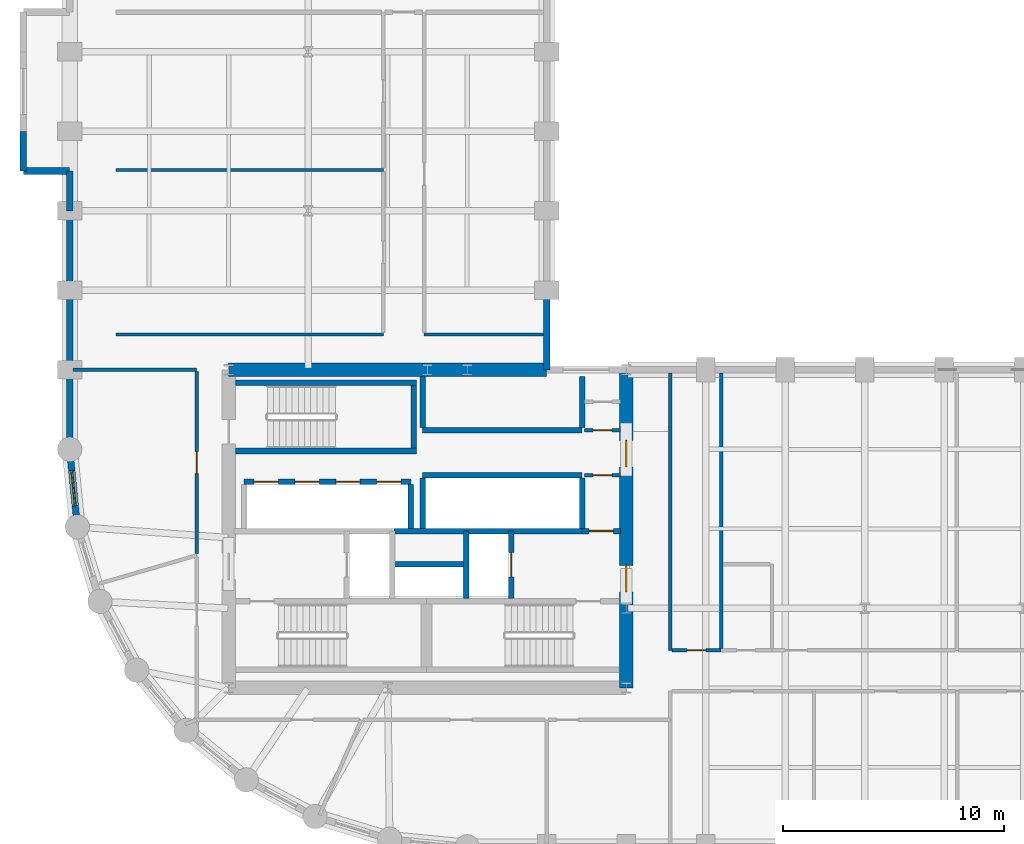
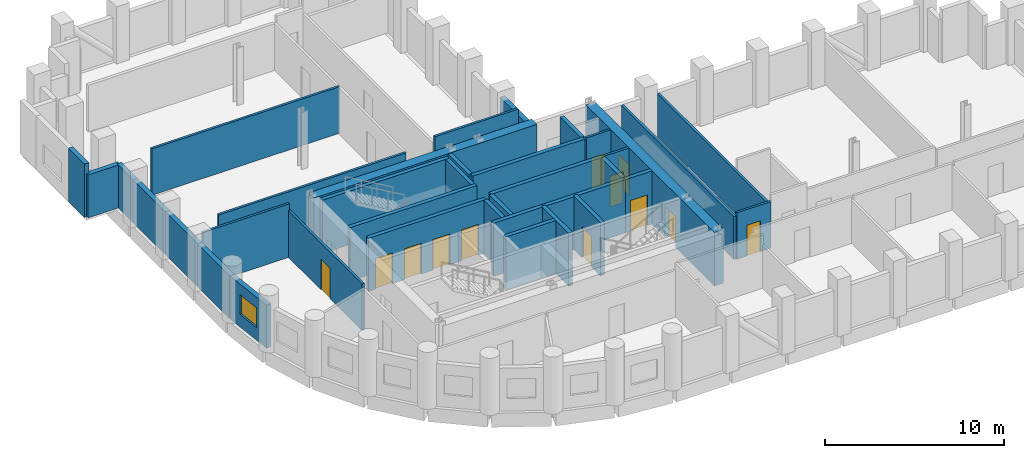
# One storey, part 4 of 8: 36 walls, 12 doors, 1 window, 13 openings.
"""IFC4 building model written with IfcOpenShell, lengths in metres."""

from ifc_helpers import new_model, si_unit, direction, frame, frame_2d, origin, place, context, subcontext, project, spatial, rectangle, extrude, material, layer, layer_set, type_object, element, fill, save


model = new_model("IFC4")

# Units and contexts
model_context = context("Model", 3, precision=1e-05, world=origin(), true_north=direction((0.0, 1.0)))
body_context = subcontext(model_context, "Body", "Model", "MODEL_VIEW")
ifc_project = project(units=[si_unit("LENGTHUNIT", "METRE"), si_unit("AREAUNIT", "SQUARE_METRE"), si_unit("VOLUMEUNIT", "CUBIC_METRE"), si_unit("PLANEANGLEUNIT", "RADIAN"), si_unit("MASSUNIT", "GRAM", prefix="KILO")], contexts=[model_context])

# Site, building, storey
site_placement = place(None, origin())
site = spatial("IfcSite", under=ifc_project, at=site_placement, CompositionType="ELEMENT")
building_placement = place(site_placement, origin())
building = spatial("IfcBuilding", under=site, at=building_placement, Name="Solnavia Interchange Tower", CompositionType="ELEMENT")
storey_placement = place(building_placement, frame((0.0, 0.0, 84.0)))
storey = spatial("IfcBuildingStorey", under=building, at=storey_placement, Name="L20", CompositionType="ELEMENT", Elevation=84.0)

# Walls
ifc_material_1 = material(Name="Concrete C40/50", Category="concrete")
ifc_layer_1 = layer(ifc_material_1, 0.300048828125)
ifc_layer_set_1 = layer_set([ifc_layer_1], Name="Concrete C40/50")
wall_type_1 = type_object("IfcWallType", Name="Wall-ExtSpandrel-300", PredefinedType="STANDARD", material=ifc_layer_set_1)
wall_1_placement = place(storey_placement, frame((28.800048828125, 28.800048828125, 0.0), z_axis=(0.0, 0.0, 1.0), x_axis=(0.0, -1.0, 0.0)))
element("IfcWall", 1, at=wall_1_placement, inside=storey, type_object=wall_type_1, Name="EXW-L20-28 Exterior precast spandrel wall", PredefinedType="STANDARD", context=body_context, shape_type="SweptSolid", body=[
    extrude(rectangle(XDim=3.60009765625, YDim=0.300048828125, at=frame_2d((1.800048828125, 0.0))), origin(), (0.0, 0.0, 1.0), 3.18994140625),
])
wall_2_placement = place(storey_placement, frame((5.10009765625, 34.199951171875, 0.0), z_axis=(0.0, 0.0, 1.0), x_axis=(0.0, 1.0, 0.0)))
element("IfcWall", 2, at=wall_2_placement, inside=storey, type_object=wall_type_1, Name="EXW-L20-49 Exterior precast spandrel wall", PredefinedType="STANDARD", context=body_context, shape_type="SweptSolid", body=[
    extrude(rectangle(XDim=1.800048828125, YDim=0.300048828125, at=frame_2d((0.89990234375, 0.0))), origin(), (0.0, 0.0, 1.0), 3.635009765625),
])
wall_3_placement = place(storey_placement, frame((5.10009765625, 34.199951171875, 0.0), z_axis=(0.0, 0.0, 1.0), x_axis=(1.0, 0.0, 0.0)))
element("IfcWall", 3, at=wall_3_placement, inside=storey, type_object=wall_type_1, Name="EXW-L20-50 Exterior precast spandrel wall", PredefinedType="STANDARD", context=body_context, shape_type="SweptSolid", body=[
    extrude(rectangle(XDim=2.099853515625, YDim=0.300048828125, at=frame_2d((1.0498046875, 0.0))), origin(), (0.0, 0.0, 1.0), 2.929931640625),
])
wall_4_placement = place(storey_placement, frame((7.199951171875, 32.39990234375, 0.0), z_axis=(0.0, 0.0, 1.0), x_axis=(0.0, 1.0, 0.0)))
element("IfcWall", 4, at=wall_4_placement, inside=storey, type_object=wall_type_1, Name="EXW-L20-51 Exterior precast spandrel wall", PredefinedType="STANDARD", context=body_context, shape_type="SweptSolid", body=[
    extrude(rectangle(XDim=1.800048828125, YDim=0.300048828125, at=frame_2d((0.89990234375, 0.0))), origin(), (0.0, 0.0, 1.0), 2.929931640625),
])
wall_5_placement = place(storey_placement, frame((7.199951171875, 28.800048828125, 0.0), z_axis=(0.0, 0.0, 1.0), x_axis=(0.0, 1.0, 0.0)))
element("IfcWall", 5, at=wall_5_placement, inside=storey, type_object=wall_type_1, Name="EXW-L20-52 Exterior precast spandrel wall", PredefinedType="STANDARD", context=body_context, shape_type="SweptSolid", body=[
    extrude(rectangle(XDim=3.599853515625, YDim=0.300048828125, at=frame_2d((1.7998046875, 0.0))), origin(), (0.0, 0.0, 1.0), 2.929931640625),
])
wall_6_placement = place(storey_placement, frame((7.199951171875, 25.199951171875, 0.0), z_axis=(0.0, 0.0, 1.0), x_axis=(0.0, 1.0, 0.0)))
element("IfcWall", 6, at=wall_6_placement, inside=storey, type_object=wall_type_1, Name="EXW-L20-53 Exterior precast spandrel wall", PredefinedType="STANDARD", context=body_context, shape_type="SweptSolid", body=[
    extrude(rectangle(XDim=3.60009765625, YDim=0.300048828125, at=frame_2d((1.800048828125, 0.0))), origin(), (0.0, 0.0, 1.0), 2.929931640625),
])
wall_7_placement = place(storey_placement, frame((7.199951171875, 21.60009765625, 0.0), z_axis=(0.0, 0.0, 1.0), x_axis=(0.0, 1.0, 0.0)))
element("IfcWall", 7, at=wall_7_placement, inside=storey, type_object=wall_type_1, Name="EXW-L20-54 Exterior precast spandrel wall", PredefinedType="STANDARD", context=body_context, shape_type="SweptSolid", body=[
    extrude(rectangle(XDim=3.599853515625, YDim=0.300048828125, at=frame_2d((1.7998046875, 0.0))), origin(), (0.0, 0.0, 1.0), 2.929931640625),
])

# Wall, opening, window
wall_8_placement = place(storey_placement, frame((7.5458984375, 18.087890625, 0.0), z_axis=(0.0, 0.0, 1.0), x_axis=(-0.09802417461, 0.995184033831, 0.0)))
wall_8 = element("IfcWall", 8, at=wall_8_placement, inside=storey, type_object=wall_type_1, Name="EXW-L20-55 Exterior precast spandrel wall", PredefinedType="STANDARD", context=body_context, shape_type="SweptSolid", body=[
    extrude(rectangle(XDim=3.529296875, YDim=0.300048828125, at=frame_2d((1.7646484375, 0.0))), origin(), (0.0, 0.0, 1.0), 2.929931640625),
])
opening_1_placement = place(wall_8_placement, frame((0.965087890625, 0.0, 0.85009765625)))
opening_1 = element("IfcOpeningElement", 9, at=opening_1_placement, cuts=wall_8, Name="Opening WIN-04", PredefinedType="OPENING", context=body_context, shape_type="SweptSolid", body=[
    extrude(rectangle(XDim=1.60009765625, YDim=1.35009765625, at=frame_2d((0.800048828125, 0.675048828125))), frame((0.0, 0.16015625, 0.0), z_axis=(0.0, -1.0, 0.0), x_axis=(1.0, 0.0, 0.0)), (0.0, 0.0, 1.0), 0.320068359375),
])
ifc_material_2 = material(Name="Thermal-Break Aluminium & Low-E Glass", Category="aluminium")
window_type = type_object("IfcWindowType", Name="Window-Drum-1600x1350", PartitioningType="SINGLE_PANEL", PredefinedType="WINDOW", material=ifc_material_2)
window_placement = place(opening_1_placement, origin())
window = element("IfcWindow", 10, at=window_placement, inside=storey, type_object=window_type, Name="WIN-L20-55 Facade ribbon window", OverallHeight=1.35009765625, OverallWidth=1.60009765625, PartitioningType="SINGLE_PANEL", PredefinedType="WINDOW", context=body_context, shape_type="SweptSolid", body=[
    extrude(rectangle(XDim=1.60009765625, YDim=1.35009765625, at=frame_2d((0.800048828125, 0.675048828125))), frame((0.0, 0.030029296875, 0.0), z_axis=(0.0, -1.0, 0.0), x_axis=(1.0, 0.0, 0.0)), (0.0, 0.0, 1.0), 0.06005859375),
])
fill(opening_1, window)

# Wall, opening, door
ifc_material_3 = material(Name="Gypsum Plasterboard & Steel Stud", Category="steel")
ifc_layer_2 = layer(ifc_material_3, 0.14990234375)
ifc_layer_set_2 = layer_set([ifc_layer_2], Name="Gypsum Plasterboard & Steel Stud")
wall_type_2 = type_object("IfcWallType", Name="Wall-Partition-150", PredefinedType="PARTITIONING", material=ifc_layer_set_2)
wall_9_placement = place(storey_placement, frame((30.52001953125, 22.4599609375, 0.0), z_axis=(0.0, 0.0, 1.0), x_axis=(1.0, 0.0, 0.0)))
wall_9 = element("IfcWall", 11, at=wall_9_placement, inside=storey, type_object=wall_type_2, Name="CSW-L20-NE-S Core shaft wall", PredefinedType="PARTITIONING", context=body_context, shape_type="SweptSolid", body=[
    extrude(rectangle(XDim=1.6298828125, YDim=0.14990234375, at=frame_2d((0.81494140625, 0.0))), origin(), (0.0, 0.0, 1.0), 3.635009765625),
])
opening_2_placement = place(wall_9_placement, frame((0.3798828125, 0.0, 0.0)))
opening_2 = element("IfcOpeningElement", 12, at=opening_2_placement, cuts=wall_9, Name="Opening DR-10", PredefinedType="OPENING", context=body_context, shape_type="SweptSolid", body=[
    extrude(rectangle(XDim=0.85009765625, YDim=2.10009765625, at=frame_2d((0.425048828125, 1.050048828125))), frame((0.0, 0.0849609375, 0.0), z_axis=(0.0, -1.0, 0.0), x_axis=(1.0, 0.0, 0.0)), (0.0, 0.0, 1.0), 0.169921875),
])
ifc_material_4 = material(Name="Moisture-Resistant Timber Door", Category="wood")
door_type_1 = type_object("IfcDoorType", Name="Door-Bathroom-850x2100", OperationType="SINGLE_SWING_RIGHT", PredefinedType="DOOR", material=ifc_material_4)
door_1_placement = place(opening_2_placement, origin())
door_1 = element("IfcDoor", 13, at=door_1_placement, inside=storey, type_object=door_type_1, Name="DR-L20-CNE1 Core fire door", OperationType="SINGLE_SWING_RIGHT", OverallHeight=2.10009765625, OverallWidth=0.85009765625, PredefinedType="DOOR", context=body_context, shape_type="SweptSolid", body=[
    extrude(rectangle(XDim=0.85009765625, YDim=2.10009765625, at=frame_2d((0.425048828125, 1.050048828125))), frame((0.0, 0.02490234375, 0.0), z_axis=(0.0, -1.0, 0.0), x_axis=(1.0, 0.0, 0.0)), (0.0, 0.0, 1.0), 0.050048828125),
])
fill(opening_2, door_1)

wall_10_placement = place(storey_placement, frame((30.52001953125, 20.419921875, 0.0), z_axis=(0.0, 0.0, 1.0), x_axis=(1.0, 0.0, 0.0)))
wall_10 = element("IfcWall", 14, at=wall_10_placement, inside=storey, type_object=wall_type_2, Name="CSW-L20-SE-N Core shaft wall", PredefinedType="PARTITIONING", context=body_context, shape_type="SweptSolid", body=[
    extrude(rectangle(XDim=1.6298828125, YDim=0.14990234375, at=frame_2d((0.81494140625, 0.0))), origin(), (0.0, 0.0, 1.0), 3.635009765625),
])
opening_3_placement = place(wall_10_placement, frame((0.3798828125, 0.0, 0.0)))
opening_3 = element("IfcOpeningElement", 15, at=opening_3_placement, cuts=wall_10, Name="Opening DR-10", PredefinedType="OPENING", context=body_context, shape_type="SweptSolid", body=[
    extrude(rectangle(XDim=0.85009765625, YDim=2.10009765625, at=frame_2d((0.425048828125, 1.050048828125))), frame((0.0, 0.0849609375, 0.0), z_axis=(0.0, -1.0, 0.0), x_axis=(1.0, 0.0, 0.0)), (0.0, 0.0, 1.0), 0.169921875),
])
door_2_placement = place(opening_3_placement, origin())
door_2 = element("IfcDoor", 16, at=door_2_placement, inside=storey, type_object=door_type_1, Name="DR-L20-CSE1 Core fire door", OperationType="SINGLE_SWING_LEFT", OverallHeight=2.10009765625, OverallWidth=0.85009765625, PredefinedType="DOOR", context=body_context, shape_type="SweptSolid", body=[
    extrude(rectangle(XDim=0.85009765625, YDim=2.10009765625, at=frame_2d((0.425048828125, 1.050048828125))), frame((0.0, 0.02490234375, 0.0), z_axis=(0.0, -1.0, 0.0), x_axis=(1.0, 0.0, 0.0)), (0.0, 0.0, 1.0), 0.050048828125),
])
fill(opening_3, door_2)

# Wall
wall_11_placement = place(storey_placement, frame((7.35400390625, 25.199951171875, 0.0), z_axis=(0.0, 0.0, 1.0), x_axis=(1.0, 0.0, 0.0)))
element("IfcWall", 17, at=wall_11_placement, inside=storey, type_object=wall_type_2, Name="PTW-L20-07 Interior partition wall", PredefinedType="PARTITIONING", context=body_context, shape_type="SweptSolid", body=[
    extrude(rectangle(XDim=5.595947265625, YDim=0.14990234375, at=frame_2d((2.7978515625, 0.0))), origin(), (0.0, 0.0, 1.0), 3.635009765625),
])

# Wall, opening, door
wall_12_placement = place(storey_placement, frame((12.949951171875, 16.87890625, 0.0), z_axis=(0.0, 0.0, 1.0), x_axis=(0.0, 1.0, 0.0)))
wall_12 = element("IfcWall", 18, at=wall_12_placement, inside=storey, type_object=wall_type_2, Name="PTW-L20-12 Interior partition wall", PredefinedType="PARTITIONING", context=body_context, shape_type="SweptSolid", body=[
    extrude(rectangle(XDim=8.2421875, YDim=0.14990234375, at=frame_2d((4.12109375, 0.0))), origin(), (0.0, 0.0, 1.0), 3.18994140625),
])
opening_4_placement = place(wall_12_placement, frame((3.62109375, 0.0, 0.0)))
opening_4 = element("IfcOpeningElement", 19, at=opening_4_placement, cuts=wall_12, Name="Opening DR-07", PredefinedType="OPENING", context=body_context, shape_type="SweptSolid", body=[
    extrude(rectangle(XDim=1.0, YDim=2.10009765625, at=frame_2d((0.5, 1.050048828125))), frame((0.0, 0.0849609375, 0.0), z_axis=(0.0, -1.0, 0.0), x_axis=(1.0, 0.0, 0.0)), (0.0, 0.0, 1.0), 0.169921875),
])
ifc_material_5 = material(Name="Timber & Acoustic Glazed Office Door", Category="wood")
door_type_2 = type_object("IfcDoorType", Name="Door-Office-1000x2100", OperationType="SINGLE_SWING_RIGHT", PredefinedType="DOOR", material=ifc_material_5)
door_3_placement = place(opening_4_placement, origin())
door_3 = element("IfcDoor", 20, at=door_3_placement, inside=storey, type_object=door_type_2, Name="DR-L20-03 Interior room door", OperationType="SINGLE_SWING_LEFT", OverallHeight=2.10009765625, OverallWidth=1.0, PredefinedType="DOOR", context=body_context, shape_type="SweptSolid", body=[
    extrude(rectangle(XDim=1.0, YDim=2.10009765625, at=frame_2d((0.5, 1.050048828125))), frame((0.0, 0.02490234375, 0.0), z_axis=(0.0, -1.0, 0.0), x_axis=(1.0, 0.0, 0.0)), (0.0, 0.0, 1.0), 0.050048828125),
])
fill(opening_4, door_3)

# Walls
for number, where, z_axis, x_axis, name in (
    (21, (9.300048828125, 26.800048828125, 0.0), (0.0, 0.0, 1.0), (1.0, 0.0, 0.0), "PTW-L20-28 Interior partition wall"),
    (22, (9.300048828125, 34.25, 0.0), (0.0, 0.0, 1.0), (1.0, 0.0, 0.0), "PTW-L20-29 Interior partition wall"),
):
    element("IfcWall", number, at=place(storey_placement, frame(where, z_axis=z_axis, x_axis=x_axis)), inside=storey, type_object=wall_type_2, Name=name, PredefinedType="PARTITIONING", context=body_context, shape_type="SweptSolid", body=[
        extrude(rectangle(XDim=12.099853515625, YDim=0.14990234375, at=frame_2d((6.0498046875, 0.0))), origin(), (0.0, 0.0, 1.0), 3.179931640625),
    ])
wall_13_placement = place(storey_placement, frame((23.25, 26.800048828125, 0.0), z_axis=(0.0, 0.0, 1.0), x_axis=(1.0, 0.0, 0.0)))
element("IfcWall", 23, at=wall_13_placement, inside=storey, type_object=wall_type_2, Name="PTW-L20-32 Interior partition wall", PredefinedType="PARTITIONING", context=body_context, shape_type="SweptSolid", body=[
    extrude(rectangle(XDim=5.39599609375, YDim=0.14990234375, at=frame_2d((2.697998046875, 0.0))), origin(), (0.0, 0.0, 1.0), 3.635009765625),
])
ifc_layer_3 = layer(ifc_material_1, 0.25)
ifc_layer_set_3 = layer_set([ifc_layer_3], Name="Concrete C40/50")
wall_type_3 = type_object("IfcWallType", Name="Wall-ShaftCore-250", PredefinedType="SHEAR", material=ifc_layer_set_3)
for number, where, z_axis, x_axis, name in (
    (24, (14.699951171875, 21.52490234375, 0.0), (0.0, 0.0, 1.0), (1.0, 0.0, 0.0), "SHW-L20-ST3S Core shear wall"),
    (25, (14.699951171875, 24.614990234375, 0.0), (0.0, 0.0, 1.0), (1.0, 0.0, 0.0), "SHW-L20-ST3N Core shear wall"),
):
    element("IfcWall", number, at=place(storey_placement, frame(where, z_axis=z_axis, x_axis=x_axis)), inside=storey, type_object=wall_type_3, Name=name, PredefinedType="SHEAR", context=body_context, shape_type="SweptSolid", body=[
        extrude(rectangle(XDim=8.199951171875, YDim=0.25, at=frame_2d((4.10009765625, 0.0))), origin(), (0.0, 0.0, 1.0), 3.64990234375),
    ])
wall_14_placement = place(storey_placement, frame((22.77490234375, 21.64990234375, 0.0), z_axis=(0.0, 0.0, 1.0), x_axis=(0.0, 1.0, 0.0)))
element("IfcWall", 26, at=wall_14_placement, inside=storey, type_object=wall_type_3, Name="SHW-L20-ST3E Core shear wall", PredefinedType="SHEAR", context=body_context, shape_type="SweptSolid", body=[
    extrude(rectangle(XDim=2.840087890625, YDim=0.25, at=frame_2d((1.419921875, 0.0))), origin(), (0.0, 0.0, 1.0), 3.64990234375),
])
ifc_layer_4 = layer(ifc_material_1, 0.25)
ifc_layer_set_4 = layer_set([ifc_layer_4], Name="Concrete C40/50")
wall_type_4 = type_object("IfcWallType", Name="Wall-ShaftPart-250", PredefinedType="PARTITIONING", material=ifc_layer_set_4)
wall_15_placement = place(storey_placement, frame((21.8798828125, 17.89990234375, 0.0), z_axis=(0.0, 0.0, 1.0), x_axis=(1.0, 0.0, 0.0)))
element("IfcWall", 27, at=wall_15_placement, inside=storey, type_object=wall_type_4, Name="SHW-L20-FFLE-N1 Core shaft wall", PredefinedType="PARTITIONING", context=body_context, shape_type="SweptSolid", body=[
    extrude(rectangle(XDim=8.52001953125, YDim=0.25, at=frame_2d((4.260009765625, 0.0))), origin(), (0.0, 0.0, 1.0), 3.635009765625),
])

# Wall, opening, door
wall_16_placement = place(storey_placement, frame((30.39990234375, 17.89990234375, 0.0), z_axis=(0.0, 0.0, 1.0), x_axis=(1.0, 0.0, 0.0)))
wall_16 = element("IfcWall", 28, at=wall_16_placement, inside=storey, type_object=wall_type_4, Name="SHW-L20-FFLE-N2 Core shaft wall", PredefinedType="PARTITIONING", context=body_context, shape_type="SweptSolid", body=[
    extrude(rectangle(XDim=1.75, YDim=0.25, at=frame_2d((0.875, 0.0))), origin(), (0.0, 0.0, 1.0), 3.635009765625),
])
opening_5_placement = place(wall_16_placement, frame((0.320068359375, 0.0, 0.0)))
opening_5 = element("IfcOpeningElement", 29, at=opening_5_placement, cuts=wall_16, Name="Opening DR-01", PredefinedType="OPENING", context=body_context, shape_type="SweptSolid", body=[
    extrude(rectangle(XDim=1.10009765625, YDim=2.10009765625, at=frame_2d((0.550048828125, 1.050048828125))), frame((0.0, 0.135009765625, 0.0), z_axis=(0.0, -1.0, 0.0), x_axis=(1.0, 0.0, 0.0)), (0.0, 0.0, 1.0), 0.27001953125),
])
ifc_material_6 = material(Name="Steel Fire-Rated Leaf & Frame", Category="steel")
door_type_3 = type_object("IfcDoorType", Name="Door-StairFire-1100x2100", OperationType="SINGLE_SWING_LEFT", PredefinedType="DOOR", material=ifc_material_6)
door_4_placement = place(opening_5_placement, origin())
door_4 = element("IfcDoor", 30, at=door_4_placement, inside=storey, type_object=door_type_3, Name="DR-L20-LLC Core fire door", OperationType="SINGLE_SWING_LEFT", OverallHeight=2.10009765625, OverallWidth=1.10009765625, PredefinedType="DOOR", context=body_context, shape_type="SweptSolid", body=[
    extrude(rectangle(XDim=1.10009765625, YDim=2.10009765625, at=frame_2d((0.550048828125, 1.050048828125))), frame((0.0, 0.02490234375, 0.0), z_axis=(0.0, -1.0, 0.0), x_axis=(1.0, 0.0, 0.0)), (0.0, 0.0, 1.0), 0.050048828125),
])
fill(opening_5, door_4)

# Wall
wall_17_placement = place(storey_placement, frame((25.14990234375, 14.840087890625, 0.0), z_axis=(0.0, 0.0, 1.0), x_axis=(0.0, 1.0, 0.0)))
element("IfcWall", 31, at=wall_17_placement, inside=storey, type_object=wall_type_4, Name="SHW-L20-FFL2-W Core shaft wall", PredefinedType="PARTITIONING", context=body_context, shape_type="SweptSolid", body=[
    extrude(rectangle(XDim=3.059814453125, YDim=0.25, at=frame_2d((1.52978515625, 0.0))), origin(), (0.0, 0.0, 1.0), 3.635009765625),
])

# Wall, opening, door
wall_18_placement = place(storey_placement, frame((27.199951171875, 14.840087890625, 0.0), z_axis=(0.0, 0.0, 1.0), x_axis=(0.0, 1.0, 0.0)))
wall_18 = element("IfcWall", 32, at=wall_18_placement, inside=storey, type_object=wall_type_4, Name="SHW-L20-FFL2-E Core shaft wall", PredefinedType="PARTITIONING", context=body_context, shape_type="SweptSolid", body=[
    extrude(rectangle(XDim=3.059814453125, YDim=0.25, at=frame_2d((1.52978515625, 0.0))), origin(), (0.0, 0.0, 1.0), 3.635009765625),
])
opening_6_placement = place(wall_18_placement, frame((0.97998046875, 0.0, 0.0)))
opening_6 = element("IfcOpeningElement", 33, at=opening_6_placement, cuts=wall_18, Name="Opening LD-01", PredefinedType="OPENING", context=body_context, shape_type="SweptSolid", body=[
    extrude(rectangle(XDim=1.10009765625, YDim=2.10009765625, at=frame_2d((0.550048828125, 1.050048828125))), frame((0.0, 0.135009765625, 0.0), z_axis=(0.0, -1.0, 0.0), x_axis=(1.0, 0.0, 0.0)), (0.0, 0.0, 1.0), 0.27001953125),
])
ifc_material_7 = material(Name="Brushed Stainless Steel Sliding Door", Category="steel")
door_type_4 = type_object("IfcDoorType", Name="Door-LiftLanding-1100x2100", OperationType="SLIDING_TO_LEFT", PredefinedType="DOOR", material=ifc_material_7)
door_5_placement = place(opening_6_placement, origin())
door_5 = element("IfcDoor", 34, at=door_5_placement, inside=storey, type_object=door_type_4, Name="LD-L20-FFL2 Lift landing sliding door", OperationType="SLIDING_TO_LEFT", OverallHeight=2.10009765625, OverallWidth=1.10009765625, PredefinedType="DOOR", context=body_context, shape_type="SweptSolid", body=[
    extrude(rectangle(XDim=1.10009765625, YDim=2.10009765625, at=frame_2d((0.550048828125, 1.050048828125))), frame((0.0, 0.02490234375, 0.0), z_axis=(0.0, -1.0, 0.0), x_axis=(1.0, 0.0, 0.0)), (0.0, 0.0, 1.0), 0.050048828125),
])
fill(opening_6, door_5)

# Wall
wall_19_placement = place(storey_placement, frame((21.800048828125, 16.39990234375, 0.0), z_axis=(0.0, 0.0, 1.0), x_axis=(1.0, 0.0, 0.0)))
element("IfcWall", 35, at=wall_19_placement, inside=storey, type_object=wall_type_4, Name="SHW-L20-MEP-N Core shaft wall", PredefinedType="PARTITIONING", context=body_context, shape_type="SweptSolid", body=[
    extrude(rectangle(XDim=3.349853515625, YDim=0.25, at=frame_2d((1.6748046875, 0.0))), origin(), (0.0, 0.0, 1.0), 3.635009765625),
])

# Wall, openings, doors
wall_20_placement = place(storey_placement, frame((15.10009765625, 20.125, 0.0), z_axis=(0.0, 0.0, 1.0), x_axis=(1.0, 0.0, 0.0)))
wall_20 = element("IfcWall", 36, at=wall_20_placement, inside=storey, type_object=wall_type_4, Name="SHW-L20-B1N Core shaft wall", PredefinedType="PARTITIONING", context=body_context, shape_type="SweptSolid", body=[
    extrude(rectangle(XDim=7.5498046875, YDim=0.25, at=frame_2d((3.77490234375, 0.0))), origin(), (0.0, 0.0, 1.0), 3.635009765625),
])
opening_7_placement = place(wall_20_placement, frame((0.449951171875, 0.0, 0.0)))
opening_7 = element("IfcOpeningElement", 37, at=opening_7_placement, cuts=wall_20, Name="Opening LD-01", PredefinedType="OPENING", context=body_context, shape_type="SweptSolid", body=[
    extrude(rectangle(XDim=1.10009765625, YDim=2.10009765625, at=frame_2d((0.550048828125, 1.050048828125))), frame((0.0, 0.135009765625, 0.0), z_axis=(0.0, -1.0, 0.0), x_axis=(1.0, 0.0, 0.0)), (0.0, 0.0, 1.0), 0.27001953125),
])
opening_8_placement = place(wall_20_placement, frame((2.300048828125, 0.0, 0.0)))
opening_8 = element("IfcOpeningElement", 38, at=opening_8_placement, cuts=wall_20, Name="Opening LD-01", PredefinedType="OPENING", context=body_context, shape_type="SweptSolid", body=[
    extrude(rectangle(XDim=1.10009765625, YDim=2.10009765625, at=frame_2d((0.550048828125, 1.050048828125))), frame((0.0, 0.135009765625, 0.0), z_axis=(0.0, -1.0, 0.0), x_axis=(1.0, 0.0, 0.0)), (0.0, 0.0, 1.0), 0.27001953125),
])
opening_9_placement = place(wall_20_placement, frame((4.14990234375, 0.0, 0.0)))
opening_9 = element("IfcOpeningElement", 39, at=opening_9_placement, cuts=wall_20, Name="Opening LD-01", PredefinedType="OPENING", context=body_context, shape_type="SweptSolid", body=[
    extrude(rectangle(XDim=1.10009765625, YDim=2.10009765625, at=frame_2d((0.550048828125, 1.050048828125))), frame((0.0, 0.135009765625, 0.0), z_axis=(0.0, -1.0, 0.0), x_axis=(1.0, 0.0, 0.0)), (0.0, 0.0, 1.0), 0.27001953125),
])
opening_10_placement = place(wall_20_placement, frame((6.0, 0.0, 0.0)))
opening_10 = element("IfcOpeningElement", 40, at=opening_10_placement, cuts=wall_20, Name="Opening LD-01", PredefinedType="OPENING", context=body_context, shape_type="SweptSolid", body=[
    extrude(rectangle(XDim=1.10009765625, YDim=2.10009765625, at=frame_2d((0.550048828125, 1.050048828125))), frame((0.0, 0.135009765625, 0.0), z_axis=(0.0, -1.0, 0.0), x_axis=(1.0, 0.0, 0.0)), (0.0, 0.0, 1.0), 0.27001953125),
])
door_6_placement = place(opening_7_placement, origin())
door_6 = element("IfcDoor", 41, at=door_6_placement, inside=storey, type_object=door_type_4, Name="LD-L20-B1-1 Lift landing sliding door", OperationType="SLIDING_TO_LEFT", OverallHeight=2.10009765625, OverallWidth=1.10009765625, PredefinedType="DOOR", context=body_context, shape_type="SweptSolid", body=[
    extrude(rectangle(XDim=1.10009765625, YDim=2.10009765625, at=frame_2d((0.550048828125, 1.050048828125))), frame((0.0, 0.02490234375, 0.0), z_axis=(0.0, -1.0, 0.0), x_axis=(1.0, 0.0, 0.0)), (0.0, 0.0, 1.0), 0.050048828125),
])
fill(opening_7, door_6)
door_7_placement = place(opening_8_placement, origin())
door_7 = element("IfcDoor", 42, at=door_7_placement, inside=storey, type_object=door_type_4, Name="LD-L20-B1-2 Lift landing sliding door", OperationType="SLIDING_TO_LEFT", OverallHeight=2.10009765625, OverallWidth=1.10009765625, PredefinedType="DOOR", context=body_context, shape_type="SweptSolid", body=[
    extrude(rectangle(XDim=1.10009765625, YDim=2.10009765625, at=frame_2d((0.550048828125, 1.050048828125))), frame((0.0, 0.02490234375, 0.0), z_axis=(0.0, -1.0, 0.0), x_axis=(1.0, 0.0, 0.0)), (0.0, 0.0, 1.0), 0.050048828125),
])
fill(opening_8, door_7)
door_8_placement = place(opening_9_placement, origin())
door_8 = element("IfcDoor", 43, at=door_8_placement, inside=storey, type_object=door_type_4, Name="LD-L20-B1-3 Lift landing sliding door", OperationType="SLIDING_TO_LEFT", OverallHeight=2.10009765625, OverallWidth=1.10009765625, PredefinedType="DOOR", context=body_context, shape_type="SweptSolid", body=[
    extrude(rectangle(XDim=1.10009765625, YDim=2.10009765625, at=frame_2d((0.550048828125, 1.050048828125))), frame((0.0, 0.02490234375, 0.0), z_axis=(0.0, -1.0, 0.0), x_axis=(1.0, 0.0, 0.0)), (0.0, 0.0, 1.0), 0.050048828125),
])
fill(opening_9, door_8)
door_9_placement = place(opening_10_placement, origin())
door_9 = element("IfcDoor", 44, at=door_9_placement, inside=storey, type_object=door_type_4, Name="LD-L20-B1-4 Lift landing sliding door", OperationType="SLIDING_TO_LEFT", OverallHeight=2.10009765625, OverallWidth=1.10009765625, PredefinedType="DOOR", context=body_context, shape_type="SweptSolid", body=[
    extrude(rectangle(XDim=1.10009765625, YDim=2.10009765625, at=frame_2d((0.550048828125, 1.050048828125))), frame((0.0, 0.02490234375, 0.0), z_axis=(0.0, -1.0, 0.0), x_axis=(1.0, 0.0, 0.0)), (0.0, 0.0, 1.0), 0.050048828125),
])
fill(opening_10, door_9)

# Walls
wall_21_placement = place(storey_placement, frame((22.64990234375, 18.02490234375, 0.0), z_axis=(0.0, 0.0, 1.0), x_axis=(0.0, 1.0, 0.0)))
element("IfcWall", 45, at=wall_21_placement, inside=storey, type_object=wall_type_4, Name="SHW-L20-B1E Core shaft wall", PredefinedType="PARTITIONING", context=body_context, shape_type="SweptSolid", body=[
    extrude(rectangle(XDim=1.97509765625, YDim=0.25, at=frame_2d((0.987548828125, 0.0))), origin(), (0.0, 0.0, 1.0), 3.635009765625),
])
wall_22_placement = place(storey_placement, frame((23.179931640625, 20.419921875, 0.0), z_axis=(0.0, 0.0, 1.0), x_axis=(1.0, 0.0, 0.0)))
element("IfcWall", 46, at=wall_22_placement, inside=storey, type_object=wall_type_4, Name="SHW-L20-B2N Core shaft wall", PredefinedType="PARTITIONING", context=body_context, shape_type="SweptSolid", body=[
    extrude(rectangle(XDim=7.219970703125, YDim=0.25, at=frame_2d((3.60986328125, 0.0))), origin(), (0.0, 0.0, 1.0), 3.635009765625),
])
for number, where, z_axis, x_axis, name in (
    (47, (23.179931640625, 18.02490234375, 0.0), (0.0, 0.0, 1.0), (0.0, 1.0, 0.0), "SHW-L20-B2W Core shaft wall"),
    (48, (30.39990234375, 18.02490234375, 0.0), (0.0, 0.0, 1.0), (0.0, 1.0, 0.0), "SHW-L20-B2E Core shaft wall"),
):
    element("IfcWall", number, at=place(storey_placement, frame(where, z_axis=z_axis, x_axis=x_axis)), inside=storey, type_object=wall_type_4, Name=name, PredefinedType="PARTITIONING", context=body_context, shape_type="SweptSolid", body=[
        extrude(rectangle(XDim=2.27001953125, YDim=0.25, at=frame_2d((1.135009765625, 0.0))), origin(), (0.0, 0.0, 1.0), 3.635009765625),
    ])
wall_23_placement = place(storey_placement, frame((23.179931640625, 22.4599609375, 0.0), z_axis=(0.0, 0.0, 1.0), x_axis=(1.0, 0.0, 0.0)))
element("IfcWall", 49, at=wall_23_placement, inside=storey, type_object=wall_type_4, Name="SHW-L20-B3S Core shaft wall", PredefinedType="PARTITIONING", context=body_context, shape_type="SweptSolid", body=[
    extrude(rectangle(XDim=7.219970703125, YDim=0.25, at=frame_2d((3.60986328125, 0.0))), origin(), (0.0, 0.0, 1.0), 3.635009765625),
])
for number, where, z_axis, x_axis, name in (
    (50, (23.179931640625, 22.5849609375, 0.0), (0.0, 0.0, 1.0), (0.0, 1.0, 0.0), "SHW-L20-B3W Core shaft wall"),
    (51, (30.39990234375, 22.5849609375, 0.0), (0.0, 0.0, 1.0), (0.0, 1.0, 0.0), "SHW-L20-B3E Core shaft wall"),
):
    element("IfcWall", number, at=place(storey_placement, frame(where, z_axis=z_axis, x_axis=x_axis)), inside=storey, type_object=wall_type_4, Name=name, PredefinedType="PARTITIONING", context=body_context, shape_type="SweptSolid", body=[
        extrude(rectangle(XDim=2.31494140625, YDim=0.25, at=frame_2d((1.157470703125, 0.0))), origin(), (0.0, 0.0, 1.0), 3.635009765625),
    ])
ifc_material_8 = material(Name="Concrete C60/75", Category="concrete")
ifc_layer_5 = layer(ifc_material_8, 0.60009765625)
ifc_layer_set_5 = layer_set([ifc_layer_5], Name="Concrete C60/75")
wall_type_5 = type_object("IfcWallType", Name="Wall-ShearCore-600", PredefinedType="SHEAR", material=ifc_layer_set_5)
wall_24_placement = place(storey_placement, frame((14.39990234375, 25.199951171875, 0.0), z_axis=(0.0, 0.0, 1.0), x_axis=(1.0, 0.0, 0.0)))
element("IfcWall", 52, at=wall_24_placement, inside=storey, type_object=wall_type_5, Name="CRW-L20-N Core shear wall", PredefinedType="SHEAR", context=body_context, shape_type="SweptSolid", body=[
    extrude(rectangle(XDim=14.400146484375, YDim=0.60009765625, at=frame_2d((7.2001953125, 0.0))), origin(), (0.0, 0.0, 1.0), 3.64990234375),
])

# Wall, openings, doors
wall_25_placement = place(storey_placement, frame((32.39990234375, 10.800048828125, 0.0), z_axis=(0.0, 0.0, 1.0), x_axis=(0.0, 1.0, 0.0)))
wall_25 = element("IfcWall", 53, at=wall_25_placement, inside=storey, type_object=wall_type_5, Name="CRW-L20-E Core shear wall", PredefinedType="SHEAR", context=body_context, shape_type="SweptSolid", body=[
    extrude(rectangle(XDim=14.39990234375, YDim=0.60009765625, at=frame_2d((7.199951171875, 0.0))), origin(), (0.0, 0.0, 1.0), 3.64990234375),
])
opening_11_placement = place(wall_25_placement, frame((4.35009765625, 0.0, 0.0)))
opening_11 = element("IfcOpeningElement", 54, at=opening_11_placement, cuts=wall_25, Name="Opening DR-02", PredefinedType="OPENING", context=body_context, shape_type="SweptSolid", body=[
    extrude(rectangle(XDim=1.199951171875, YDim=2.10009765625, at=frame_2d((0.60009765625, 1.050048828125))), frame((0.0, 0.31005859375, 0.0), z_axis=(0.0, -1.0, 0.0), x_axis=(1.0, 0.0, 0.0)), (0.0, 0.0, 1.0), 0.6201171875),
])
opening_12_placement = place(wall_25_placement, frame((10.0, 0.0, 0.0)))
opening_12 = element("IfcOpeningElement", 55, at=opening_12_placement, cuts=wall_25, Name="Opening DR-02", PredefinedType="OPENING", context=body_context, shape_type="SweptSolid", body=[
    extrude(rectangle(XDim=1.199951171875, YDim=2.10009765625, at=frame_2d((0.60009765625, 1.050048828125))), frame((0.0, 0.31005859375, 0.0), z_axis=(0.0, -1.0, 0.0), x_axis=(1.0, 0.0, 0.0)), (0.0, 0.0, 1.0), 0.6201171875),
])
ifc_material_9 = material(Name="Steel Fire-Rated Vision-Panel Door", Category="steel")
door_type_5 = type_object("IfcDoorType", Name="Door-LobbyFire-1200x2100", OperationType="SINGLE_SWING_RIGHT", PredefinedType="DOOR", material=ifc_material_9)
door_10_placement = place(opening_11_placement, origin())
door_10 = element("IfcDoor", 56, at=door_10_placement, inside=storey, type_object=door_type_5, Name="DR-L20-FFL2E Core fire door", OperationType="SINGLE_SWING_LEFT", OverallHeight=2.10009765625, OverallWidth=1.199951171875, PredefinedType="DOOR", context=body_context, shape_type="SweptSolid", body=[
    extrude(rectangle(XDim=1.199951171875, YDim=2.10009765625, at=frame_2d((0.60009765625, 1.050048828125))), frame((0.0, 0.02490234375, 0.0), z_axis=(0.0, -1.0, 0.0), x_axis=(1.0, 0.0, 0.0)), (0.0, 0.0, 1.0), 0.050048828125),
])
fill(opening_11, door_10)
door_11_placement = place(opening_12_placement, origin())
door_11 = element("IfcDoor", 57, at=door_11_placement, inside=storey, type_object=door_type_5, Name="DR-L20-LLE Core fire door", OperationType="SINGLE_SWING_RIGHT", OverallHeight=2.10009765625, OverallWidth=1.199951171875, PredefinedType="DOOR", context=body_context, shape_type="SweptSolid", body=[
    extrude(rectangle(XDim=1.199951171875, YDim=2.10009765625, at=frame_2d((0.60009765625, 1.050048828125))), frame((0.0, 0.02490234375, 0.0), z_axis=(0.0, -1.0, 0.0), x_axis=(1.0, 0.0, 0.0)), (0.0, 0.0, 1.0), 0.050048828125),
])
fill(opening_12, door_11)

# Wall
ifc_material_10 = material(Name="Moisture-Resistant Gypsum & Steel Stud", Category="steel")
ifc_layer_6 = layer(ifc_material_10, 0.14990234375)
ifc_layer_set_6 = layer_set([ifc_layer_6], Name="Moisture-Resistant Gypsum & Steel Stud")
wall_type_6 = type_object("IfcWallType", Name="Wall-WetRoom-150", PredefinedType="PARTITIONING", material=ifc_layer_set_6)
wall_26_placement = place(storey_placement, frame((34.39990234375, 12.5, 0.0), z_axis=(0.0, 0.0, 1.0), x_axis=(0.0, 1.0, 0.0)))
element("IfcWall", 58, at=wall_26_placement, inside=storey, type_object=wall_type_6, Name="PTW-L20-01 Interior partition wall", PredefinedType="PARTITIONING", context=body_context, shape_type="SweptSolid", body=[
    extrude(rectangle(XDim=12.5458984375, YDim=0.14990234375, at=frame_2d((6.27294921875, 0.0))), origin(), (0.0, 0.0, 1.0), 2.929931640625),
])

# Wall, opening, door
wall_27_placement = place(storey_placement, frame((34.47900390625, 12.5, 0.0), z_axis=(0.0, 0.0, 1.0), x_axis=(1.0, 0.0, 0.0)))
wall_27 = element("IfcWall", 59, at=wall_27_placement, inside=storey, type_object=wall_type_6, Name="PTW-L20-02 Interior partition wall", PredefinedType="PARTITIONING", context=body_context, shape_type="SweptSolid", body=[
    extrude(rectangle(XDim=2.220947265625, YDim=0.14990234375, at=frame_2d((1.1103515625, 0.0))), origin(), (0.0, 0.0, 1.0), 3.179931640625),
])
opening_13_placement = place(wall_27_placement, frame((0.674072265625, 0.0, 0.0)))
opening_13 = element("IfcOpeningElement", 60, at=opening_13_placement, cuts=wall_27, Name="Opening DR-10", PredefinedType="OPENING", context=body_context, shape_type="SweptSolid", body=[
    extrude(rectangle(XDim=0.85009765625, YDim=2.10009765625, at=frame_2d((0.425048828125, 1.050048828125))), frame((0.0, 0.0849609375, 0.0), z_axis=(0.0, -1.0, 0.0), x_axis=(1.0, 0.0, 0.0)), (0.0, 0.0, 1.0), 0.169921875),
])
door_12_placement = place(opening_13_placement, origin())
door_12 = element("IfcDoor", 61, at=door_12_placement, inside=storey, type_object=door_type_1, Name="DR-L20-01 Interior room door", OperationType="SINGLE_SWING_LEFT", OverallHeight=2.10009765625, OverallWidth=0.85009765625, PredefinedType="DOOR", context=body_context, shape_type="SweptSolid", body=[
    extrude(rectangle(XDim=0.85009765625, YDim=2.10009765625, at=frame_2d((0.425048828125, 1.050048828125))), frame((0.0, 0.02490234375, 0.0), z_axis=(0.0, -1.0, 0.0), x_axis=(1.0, 0.0, 0.0)), (0.0, 0.0, 1.0), 0.050048828125),
])
fill(opening_13, door_12)

# Wall
wall_28_placement = place(storey_placement, frame((36.699951171875, 12.5791015625, 0.0), z_axis=(0.0, 0.0, 1.0), x_axis=(0.0, 1.0, 0.0)))
element("IfcWall", 62, at=wall_28_placement, inside=storey, type_object=wall_type_6, Name="PTW-L20-03 Interior partition wall", PredefinedType="PARTITIONING", context=body_context, shape_type="SweptSolid", body=[
    extrude(rectangle(XDim=12.466796875, YDim=0.14990234375, at=frame_2d((6.2333984375, 0.0))), origin(), (0.0, 0.0, 1.0), 2.929931640625),
])

save(model, "model.ifc")
